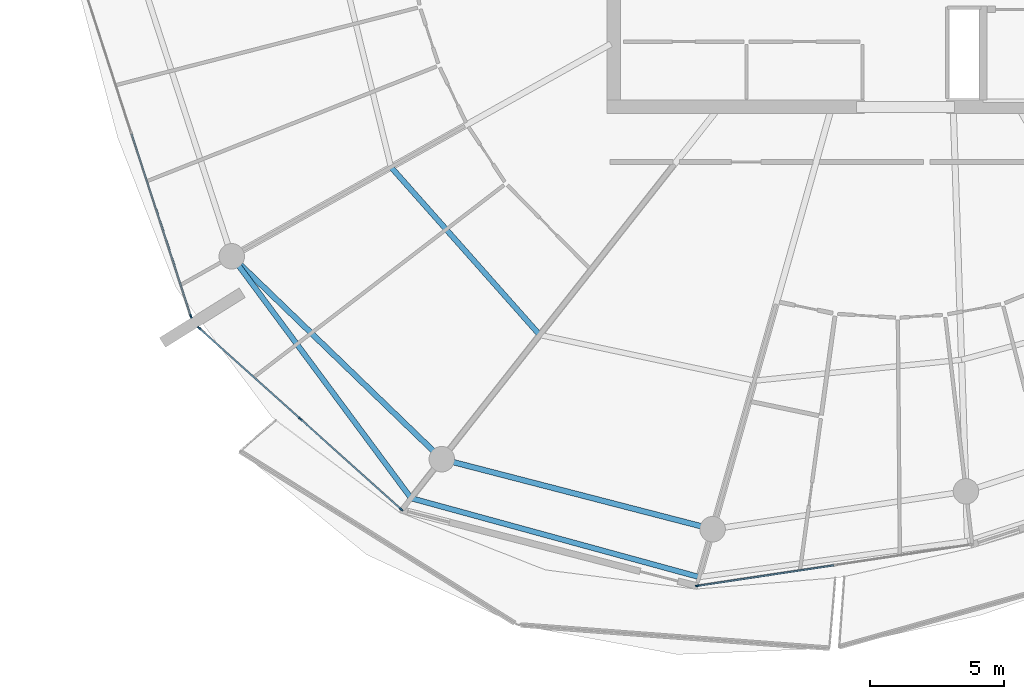
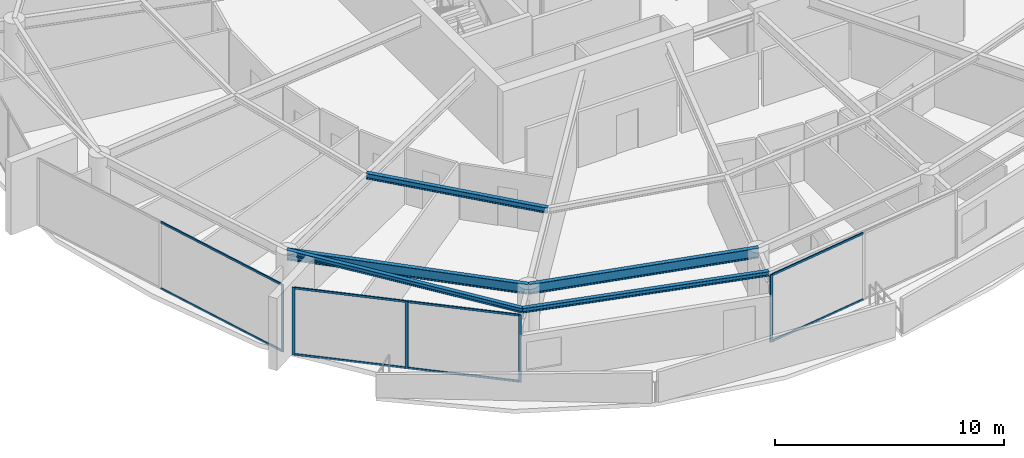
# One storey, part 6 of 30: 13 members, 5 beams, 3 elements without a shape of their own.
"""IFC4 building model written with IfcOpenShell, lengths in metres."""

import ifcopenshell
import ifcopenshell.guid

model = None  # the IFC model being written
_history = None  # IfcOwnerHistory: only IFC2X3 demands one
_inside = {}  # id of a spatial element -> (the spatial element, [elements in it])
_under = {}  # id of a project, library or spatial element -> (it, [spatial elements below it])
_declared = {}  # id of a project -> (the project, [libraries it declares])
_typed = {}  # id of a type object -> (the type object, [elements of that type])
_made_of = {}  # id of a material, layer set ... -> (it, [elements and type objects made of it])


def new_model(schema):
    """Start an empty IFC model of exactly this schema.

    Asked for "IFC4X3", IfcOpenShell would pick the latest addendum, in which some entities
    have other attributes; the version numbers below select the first issue.
    IFC2X3 requires an IfcOwnerHistory on every rooted entity: one is made here for all.
    """
    global model, _history
    if schema == "IFC4X3":
        model = ifcopenshell.file(schema_version=(4, 3, 0, 0))
    else:
        model = ifcopenshell.file(schema=schema)
    _inside.clear()
    _under.clear()
    _declared.clear()
    _typed.clear()
    _made_of.clear()
    _history = None
    if model.schema == "IFC2X3":
        org = make("IfcOrganization", Name="unknown")
        user = make(
            "IfcPersonAndOrganization",
            ThePerson=make("IfcPerson", FamilyName="unknown"),
            TheOrganization=org,
        )
        app = make(
            "IfcApplication",
            ApplicationDeveloper=org,
            Version="unknown",
            ApplicationFullName="unknown",
            ApplicationIdentifier="unknown",
        )
        _history = make(
            "IfcOwnerHistory",
            OwningUser=user,
            OwningApplication=app,
            ChangeAction="ADDED",
            CreationDate=0,
        )
    return model


def make(cls, **values):
    """One entity of the class cls with the attributes given. An attribute that is None is left unset."""
    return model.create_entity(
        cls, **{name: value for name, value in values.items() if value is not None}
    )


def rooted(cls, **values):
    """An entity with a GlobalId (a new one), such as an element, a storey or a relation."""
    return make(cls, GlobalId=ifcopenshell.guid.new(), OwnerHistory=_history, **values)


def si_unit(unit_type, name, prefix=None):
    """IfcSIUnit, for example si_unit("LENGTHUNIT", "METRE", prefix="MILLI")."""
    return make("IfcSIUnit", UnitType=unit_type, Prefix=prefix, Name=name)


def assignment(units):
    """IfcUnitAssignment: the units of a project."""
    return None if units is None else make("IfcUnitAssignment", Units=units)


def point(xyz):
    """IfcCartesianPoint."""
    return None if xyz is None else make("IfcCartesianPoint", Coordinates=xyz)


def direction(xyz):
    """IfcDirection."""
    return None if xyz is None else make("IfcDirection", DirectionRatios=xyz)


def frame(location, z_axis=None, x_axis=None):
    """IfcAxis2Placement3D, a coordinate frame: its origin and axes. An axis left out is left unset."""
    return make(
        "IfcAxis2Placement3D",
        Location=point(location),
        Axis=direction(z_axis),
        RefDirection=direction(x_axis),
    )


def frame_2d(location, x_axis=None):
    """IfcAxis2Placement2D, a coordinate frame in the plane: its origin and x axis."""
    return make(
        "IfcAxis2Placement2D", Location=point(location), RefDirection=direction(x_axis)
    )


def origin():
    """The frame at (0, 0, 0) with its axes left unset."""
    return frame((0.0, 0.0, 0.0))


def origin_2d():
    """The frame at (0, 0) in the plane with its x axis left unset."""
    return frame_2d((0.0, 0.0))


def place(relative_to, where):
    """IfcLocalPlacement: puts the frame where relative to a parent placement (None: the world)."""
    return make(
        "IfcLocalPlacement", PlacementRelTo=relative_to, RelativePlacement=where
    )


def context(
    kind, dimensions, precision=None, world=None, true_north=None, identifier=None
):
    """IfcGeometricRepresentationContext, for example the 3D "Model" context."""
    return make(
        "IfcGeometricRepresentationContext",
        ContextIdentifier=identifier,
        ContextType=kind,
        CoordinateSpaceDimension=dimensions,
        Precision=precision,
        WorldCoordinateSystem=world,
        TrueNorth=true_north,
    )


def subcontext(parent, identifier, kind, view, scale=None):
    """IfcGeometricRepresentationSubContext, for example "Body" below "Model"."""
    return make(
        "IfcGeometricRepresentationSubContext",
        ContextIdentifier=identifier,
        ContextType=kind,
        ParentContext=parent,
        TargetScale=scale,
        TargetView=view,
    )


def project(units=None, contexts=None):
    """IfcProject with its units and contexts."""
    return rooted(
        "IfcProject",
        Name="project",
        RepresentationContexts=contexts,
        UnitsInContext=assignment(units),
    )


def spatial(cls, under=None, at=None, **own):
    """A site, building, storey or space (cls), placed at a placement, below another one or the project."""
    s = rooted(cls, ObjectPlacement=at, **own)
    if under is not None:
        _under.setdefault(under.id(), (under, []))[1].append(s)
    return s


def profile(cls, at=None, kind="AREA", **sizes):
    """A parametric profile (cls). Its sizes go by their IFC names, for example OverallWidth=200.0."""
    return make(cls, ProfileType=kind, Position=at, **sizes)


def rectangle(**sizes):
    """IfcRectangleProfileDef."""
    return profile("IfcRectangleProfileDef", **sizes)


def i_section(**sizes):
    """IfcIShapeProfileDef."""
    return profile("IfcIShapeProfileDef", **sizes)


def extrude(swept, where, along, depth):
    """IfcExtrudedAreaSolid: the profile swept, set in the frame where, extruded along a direction by depth."""
    return make(
        "IfcExtrudedAreaSolid",
        SweptArea=swept,
        Position=where,
        ExtrudedDirection=direction(along),
        Depth=depth,
    )


def shape(context_of_items, identifier, shape_type, items):
    """IfcShapeRepresentation: the items that make up one representation, for example the "Body"."""
    return make(
        "IfcShapeRepresentation",
        ContextOfItems=context_of_items,
        RepresentationIdentifier=identifier,
        RepresentationType=shape_type,
        Items=items,
    )


def material(Name=None, Category=None):
    """IfcMaterial."""
    return make("IfcMaterial", Name=Name, Category=Category)


def layer(
    of_material, thickness, ventilated=None, Name=None, Category=None, Priority=None
):
    """IfcMaterialLayer: one layer of a wall or slab, of a material (None: an air gap)."""
    return make(
        "IfcMaterialLayer",
        Material=of_material,
        LayerThickness=thickness,
        IsVentilated=ventilated,
        Name=Name,
        Category=Category,
        Priority=Priority,
    )


def layer_set(layers, Name=None):
    """IfcMaterialLayerSet."""
    return make("IfcMaterialLayerSet", MaterialLayers=layers, LayerSetName=Name)


def material_profile(
    of_material, cross_section, Name=None, Category=None, Priority=None
):
    """IfcMaterialProfile: a cross section and its material."""
    return make(
        "IfcMaterialProfile",
        Name=Name,
        Material=of_material,
        Profile=cross_section,
        Priority=Priority,
        Category=Category,
    )


def profile_set(profiles, Name=None, composite=None):
    """IfcMaterialProfileSet."""
    return make(
        "IfcMaterialProfileSet",
        Name=Name,
        MaterialProfiles=profiles,
        CompositeProfile=composite,
    )


def made_of(thing, what):
    """Note that an element or type object is made of a material, layer set ...; save() writes the relation."""
    if what is not None:
        _made_of.setdefault(what.id(), (what, []))[1].append(thing)
    return thing


def type_object(cls, material=None, **own):
    """A type object (cls), such as IfcWallType, which elements share."""
    return made_of(rooted(cls, **own), material)


def element(
    cls,
    number,
    at=None,
    inside=None,
    cuts=None,
    type_object=None,
    material=None,
    context=None,
    identifier="Body",
    shape_type=None,
    held_by="IfcProductDefinitionShape",
    body=None,
    shapes=None,
    **own,
):
    """One element of the class cls, such as IfcWall. Its Tag is "e" and its number.

    at: its placement. inside: the storey or other place that contains it. cuts: it is an
    opening in that element (IfcRelVoidsElement). A single representation is given by context,
    identifier, shape_type and body (its items); several are given by shapes. held_by: the class
    of the entity that holds the representations. save() writes the other relations.
    """
    e = rooted(cls, Tag="e%d" % number, ObjectPlacement=at, **own)
    if body is not None:
        shapes = [shape(context, identifier, shape_type, body)]
    if shapes is not None:
        e.Representation = make(held_by, Representations=shapes)
    if inside is not None:
        _inside.setdefault(inside.id(), (inside, []))[1].append(e)
    if cuts is not None:
        rooted(
            "IfcRelVoidsElement", RelatingBuildingElement=cuts, RelatedOpeningElement=e
        )
    if type_object is not None:
        _typed.setdefault(type_object.id(), (type_object, []))[1].append(e)
    return made_of(e, material)


def aggregate(whole, parts):
    """IfcRelAggregates: a whole, such as a stair, and the parts it consists of."""
    return rooted("IfcRelAggregates", RelatingObject=whole, RelatedObjects=parts)


def save(model, path):
    """Write the relations noted so far, then the file.

    IfcRelAggregates (storeys below a building ...), IfcRelContainedInSpatialStructure (elements
    in a storey), IfcRelDefinesByType, IfcRelAssociatesMaterial and IfcRelDeclares: one each for
    every whole, place, type object, material and project.
    """
    for whole, parts in _under.values():
        aggregate(whole, parts)
    for where, things in _inside.values():
        rooted(
            "IfcRelContainedInSpatialStructure",
            RelatedElements=things,
            RelatingStructure=where,
        )
    for kind, things in _typed.values():
        rooted("IfcRelDefinesByType", RelatedObjects=things, RelatingType=kind)
    for what, things in _made_of.values():
        rooted("IfcRelAssociatesMaterial", RelatedObjects=things, RelatingMaterial=what)
    for by, libraries in _declared.values():
        rooted("IfcRelDeclares", RelatingContext=by, RelatedDefinitions=libraries)
    model.write(path)


model = new_model("IFC4")

# Units and contexts
model_context = context("Model", 3, precision=1e-05, world=origin(), true_north=direction((0.0, 1.0)))
body_context = subcontext(model_context, "Body", "Model", "MODEL_VIEW")
ifc_project = project(units=[si_unit("LENGTHUNIT", "METRE"), si_unit("AREAUNIT", "SQUARE_METRE"), si_unit("VOLUMEUNIT", "CUBIC_METRE"), si_unit("PLANEANGLEUNIT", "RADIAN"), si_unit("MASSUNIT", "GRAM", prefix="KILO")], contexts=[model_context])

# Site, building, storey
site_placement = place(None, origin())
site = spatial("IfcSite", under=ifc_project, at=site_placement, CompositionType="ELEMENT")
building_placement = place(site_placement, origin())
building = spatial("IfcBuilding", under=site, at=building_placement, Name="Kazma Halo Residences", CompositionType="ELEMENT")
storey_placement = place(building_placement, frame((0.0, 0.0, 298.300048828125)))
storey = spatial("IfcBuildingStorey", under=building, at=storey_placement, Name="L75", CompositionType="ELEMENT", Elevation=298.300048828125)

# Beams
ifc_material_1 = material(Name="Steel S355", Category="steel")
ifc_material_profile_1 = material_profile(ifc_material_1, i_section(OverallWidth=0.201904296875, OverallDepth=0.2470703125, WebThickness=0.00732421875, FlangeThickness=0.010986328125, FilletRadius=0.011962890625, at=origin_2d()), Name="W250x49.1")
ifc_profile_set_1 = profile_set([ifc_material_profile_1], Name="Steel S355")
beam_type_1 = type_object("IfcBeamType", Name="BM-BAL-CANT", PredefinedType="BEAM", material=ifc_profile_set_1)
beam_1_placement = place(storey_placement, frame((23.32958984375, 28.18408203125, 3.466552734375), z_axis=(0.595556062515, -0.803313747176, 0.0), x_axis=(0.803313747176, 0.595556062515, 0.0)))
element("IfcBeam", 1, at=beam_1_placement, inside=storey, type_object=beam_type_1, Name="L75 wave-balcony lead tie beam 09", PredefinedType="BEAM", context=body_context, shape_type="SweptSolid", body=[
    extrude(i_section(OverallWidth=0.201904296875, OverallDepth=0.2470703125, WebThickness=0.00732421875, FlangeThickness=0.010986328125, FilletRadius=0.011962890625, at=origin_2d()), origin(), (0.0, 0.0, 1.0), 11.213134765625),
])
beam_2_placement = place(storey_placement, frame((30.007568359375, 19.176513671875, 3.466552734375), z_axis=(0.964514665976, -0.264029277006, 0.0), x_axis=(0.264029277006, 0.964514665976, 0.0)))
element("IfcBeam", 2, at=beam_2_placement, inside=storey, type_object=beam_type_1, Name="L75 wave-balcony tie beam 10", PredefinedType="BEAM", context=body_context, shape_type="SweptSolid", body=[
    extrude(i_section(OverallWidth=0.201904296875, OverallDepth=0.2470703125, WebThickness=0.00732421875, FlangeThickness=0.010986328125, FilletRadius=0.011962890625, at=origin_2d()), origin(), (0.0, 0.0, 1.0), 11.1220703125),
])
ifc_material_profile_2 = material_profile(ifc_material_1, i_section(OverallWidth=0.202880859375, OverallDepth=0.302978515625, WebThickness=0.007568359375, FlangeThickness=0.01318359375, FilletRadius=0.013916015625, at=origin_2d()), Name="W310x60")
ifc_profile_set_2 = profile_set([ifc_material_profile_2], Name="Steel S355")
beam_type_2 = type_object("IfcBeamType", Name="BM-SEC-W310A", PredefinedType="JOIST", material=ifc_profile_set_2)
beam_3_placement = place(storey_placement, frame((29.26025390625, 31.505126953125, 3.4384765625), z_axis=(0.663307142238, -0.748347269024, 0.0), x_axis=(0.748347269024, 0.663307142238, 0.0)))
element("IfcBeam", 3, at=beam_3_placement, inside=storey, type_object=beam_type_2, Name="L75 circumferential floor joist 09", PredefinedType="JOIST", context=body_context, shape_type="SweptSolid", body=[
    extrude(i_section(OverallWidth=0.202880859375, OverallDepth=0.302978515625, WebThickness=0.007568359375, FlangeThickness=0.01318359375, FilletRadius=0.013916015625, at=origin_2d()), origin(), (0.0, 0.0, 1.0), 8.351318359375),
])
ifc_material_profile_3 = material_profile(ifc_material_1, i_section(OverallWidth=0.208984375, OverallDepth=0.532958984375, WebThickness=0.01025390625, FlangeThickness=0.015625, FilletRadius=0.01611328125, at=origin_2d()), Name="W530x92")
ifc_profile_set_3 = profile_set([ifc_material_profile_3], Name="Steel S355")
beam_type_3 = type_object("IfcBeamType", Name="BM-SPN-W530", PredefinedType="BEAM", material=ifc_profile_set_3)
beam_4_placement = place(storey_placement, frame((23.32958984375, 28.18408203125, 3.323486328125), z_axis=(0.719345757929, -0.694652201141, 0.0), x_axis=(0.694652201141, 0.719345757929, 0.0)))
element("IfcBeam", 4, at=beam_4_placement, inside=storey, type_object=beam_type_3, Name="L75 perimeter ring beam 09", PredefinedType="BEAM", context=body_context, shape_type="SweptSolid", body=[
    extrude(i_section(OverallWidth=0.208984375, OverallDepth=0.532958984375, WebThickness=0.01025390625, FlangeThickness=0.015625, FilletRadius=0.01611328125, at=origin_2d()), origin(), (0.0, 0.0, 1.0), 10.87548828125),
])
beam_5_placement = place(storey_placement, frame((31.15283203125, 20.62939453125, 3.323486328125), z_axis=(0.968126042852, -0.250463500639, 0.0), x_axis=(0.250463500639, 0.968126042852, 0.0)))
element("IfcBeam", 5, at=beam_5_placement, inside=storey, type_object=beam_type_3, Name="L75 perimeter ring beam 10", PredefinedType="BEAM", context=body_context, shape_type="SweptSolid", body=[
    extrude(i_section(OverallWidth=0.208984375, OverallDepth=0.532958984375, WebThickness=0.01025390625, FlangeThickness=0.015625, FilletRadius=0.01611328125, at=origin_2d()), origin(), (0.0, 0.0, 1.0), 10.416259765625),
])

# Curtain wall, member
ifc_material_2 = material(Name="Aluminium AW-6063 T6 and Triple-Silver Low-E Glass", Category="aluminium")
ifc_layer = layer(ifc_material_2, 0.139892578125)
ifc_layer_set = layer_set([ifc_layer], Name="Aluminium AW-6063 T6 and Triple-Silver Low-E Glass")
curtain_wall_type = type_object("IfcCurtainWallType", Name="CW-SYS-5", PredefinedType="NOTDEFINED", material=ifc_layer_set)
curtain_wall_1_placement = place(storey_placement, origin())
curtain_wall_1 = element("IfcCurtainWall", 6, at=curtain_wall_1_placement, inside=storey, type_object=curtain_wall_type, Name="L75 unitised curtain wall B08", PredefinedType="NOTDEFINED")
ifc_material_3 = material(Name="Aluminium AW-6063 T6", Category="aluminium")
ifc_material_profile_4 = material_profile(ifc_material_3, rectangle(XDim=0.06005859375, YDim=0.139892578125, at=origin_2d()), Name="CWM-60x140")
ifc_profile_set_4 = profile_set([ifc_material_profile_4], Name="Aluminium AW-6063 T6")
member_type_1 = type_object("IfcMemberType", Name="CW-SYS-5-MUL", PredefinedType="MULLION", material=ifc_profile_set_4)
member_1_placement = place(storey_placement, frame((21.8076171875, 25.9521484375, 0.0), z_axis=(0.0, 0.0, 1.0), x_axis=(0.951058464359, 0.309010998786, 0.0)))
member_1 = element("IfcMember", 7, at=member_1_placement, type_object=member_type_1, Name="CWS-5 mullion 3", PredefinedType="MULLION", context=body_context, shape_type="SweptSolid", body=[
    extrude(rectangle(XDim=0.06005859375, YDim=0.139892578125, at=origin_2d()), origin(), (0.0, 0.0, 1.0), 3.58984375),
])

# Curtain wall, members
curtain_wall_2_placement = place(storey_placement, origin())
curtain_wall_2 = element("IfcCurtainWall", 8, at=curtain_wall_2_placement, inside=storey, type_object=curtain_wall_type, Name="L75 unitised curtain wall B09", PredefinedType="NOTDEFINED")
member_2_placement = place(storey_placement, frame((22.11669921875, 25.508056640625, 0.0), z_axis=(0.0, 0.0, 1.0), x_axis=(0.667804826958, 0.744336424671, 0.0)))
member_2 = element("IfcMember", 9, at=member_2_placement, type_object=member_type_1, Name="CWS-5 mullion 1", PredefinedType="MULLION", context=body_context, shape_type="SweptSolid", body=[
    extrude(rectangle(XDim=0.06005859375, YDim=0.139892578125, at=origin_2d()), origin(), (0.0, 0.0, 1.0), 3.58984375),
])
member_3_placement = place(storey_placement, frame((25.878173828125, 22.13330078125, 0.0), z_axis=(0.0, 0.0, 1.0), x_axis=(0.667804826958, 0.744336424671, 0.0)))
member_3 = element("IfcMember", 10, at=member_3_placement, type_object=member_type_1, Name="CWS-5 mullion 2", PredefinedType="MULLION", context=body_context, shape_type="SweptSolid", body=[
    extrude(rectangle(XDim=0.06005859375, YDim=0.139892578125, at=origin_2d()), origin(), (0.0, 0.0, 1.0), 3.58984375),
])
member_4_placement = place(storey_placement, frame((29.6396484375, 18.758544921875, 0.0), z_axis=(0.0, 0.0, 1.0), x_axis=(0.667804826958, 0.744336424671, 0.0)))
member_4 = element("IfcMember", 11, at=member_4_placement, type_object=member_type_1, Name="CWS-5 mullion 3", PredefinedType="MULLION", context=body_context, shape_type="SweptSolid", body=[
    extrude(rectangle(XDim=0.06005859375, YDim=0.139892578125, at=origin_2d()), origin(), (0.0, 0.0, 1.0), 3.58984375),
])

# Curtain wall, member
curtain_wall_3_placement = place(storey_placement, origin())
curtain_wall_3 = element("IfcCurtainWall", 12, at=curtain_wall_3_placement, inside=storey, type_object=curtain_wall_type, Name="L75 unitised curtain wall B11", PredefinedType="NOTDEFINED")
member_5_placement = place(storey_placement, frame((40.671142578125, 15.912841796875, 0.0), z_axis=(0.0, 0.0, 1.0), x_axis=(-0.148697080374, 0.988882792998, 0.0)))
member_5 = element("IfcMember", 13, at=member_5_placement, type_object=member_type_1, Name="CWS-5 mullion 1", PredefinedType="MULLION", context=body_context, shape_type="SweptSolid", body=[
    extrude(rectangle(XDim=0.06005859375, YDim=0.139892578125, at=origin_2d()), origin(), (0.0, 0.0, 1.0), 3.58984375),
])

# Member
ifc_material_profile_5 = material_profile(ifc_material_3, rectangle(XDim=0.06005859375, YDim=0.10498046875, at=origin_2d()), Name="CWT-60x105")
ifc_profile_set_5 = profile_set([ifc_material_profile_5], Name="Aluminium AW-6063 T6")
member_type_2 = type_object("IfcMemberType", Name="CW-SYS-5-TRN", PredefinedType="USERDEFINED", material=ifc_profile_set_5)
member_6_placement = place(storey_placement, frame((19.6015625, 32.7412109375, 0.030029296875), z_axis=(0.309027052142, -0.95105324827, 0.0), x_axis=(0.95105324827, 0.309027052142, 0.0)))
member_6 = element("IfcMember", 14, at=member_6_placement, type_object=member_type_2, Name="CWS-5 transom 2.1", ObjectType="TRANSOM", PredefinedType="USERDEFINED", context=body_context, shape_type="SweptSolid", body=[
    extrude(rectangle(XDim=0.06005859375, YDim=0.10498046875, at=origin_2d()), origin(), (0.0, 0.0, 1.0), 7.108642578125),
])

member_7_placement = place(storey_placement, frame((19.6015625, 32.7412109375, 3.56005859375), z_axis=(0.309027052142, -0.95105324827, 0.0), x_axis=(0.95105324827, 0.309027052142, 0.0)))
member_7 = element("IfcMember", 15, at=member_7_placement, type_object=member_type_2, Name="CWS-5 transom 2.2", ObjectType="TRANSOM", PredefinedType="USERDEFINED", context=body_context, shape_type="SweptSolid", body=[
    extrude(rectangle(XDim=0.06005859375, YDim=0.10498046875, at=origin_2d()), origin(), (0.0, 0.0, 1.0), 7.108642578125),
])

aggregate(curtain_wall_1, [member_1, member_6, member_7])

member_8_placement = place(storey_placement, frame((22.138916015625, 25.488037109375, 0.030029296875), z_axis=(0.744328897483, -0.667813216679, 0.0), x_axis=(0.667813216679, 0.744328897483, 0.0)))
member_8 = element("IfcMember", 16, at=member_8_placement, type_object=member_type_2, Name="CWS-5 transom 1.1", ObjectType="TRANSOM", PredefinedType="USERDEFINED", context=body_context, shape_type="SweptSolid", body=[
    extrude(rectangle(XDim=0.06005859375, YDim=0.10498046875, at=origin_2d()), origin(), (0.0, 0.0, 1.0), 4.993408203125),
])

member_9_placement = place(storey_placement, frame((22.138916015625, 25.488037109375, 3.56005859375), z_axis=(0.744328897483, -0.667813216679, 0.0), x_axis=(0.667813216679, 0.744328897483, 0.0)))
member_9 = element("IfcMember", 17, at=member_9_placement, type_object=member_type_2, Name="CWS-5 transom 1.2", ObjectType="TRANSOM", PredefinedType="USERDEFINED", context=body_context, shape_type="SweptSolid", body=[
    extrude(rectangle(XDim=0.06005859375, YDim=0.10498046875, at=origin_2d()), origin(), (0.0, 0.0, 1.0), 4.993408203125),
])

member_10_placement = place(storey_placement, frame((25.900390625, 22.11328125, 0.030029296875), z_axis=(0.744350700793, -0.667788914425, 0.0), x_axis=(0.667788914425, 0.744350700793, 0.0)))
member_10 = element("IfcMember", 18, at=member_10_placement, type_object=member_type_2, Name="CWS-5 transom 2.1", ObjectType="TRANSOM", PredefinedType="USERDEFINED", context=body_context, shape_type="SweptSolid", body=[
    extrude(rectangle(XDim=0.06005859375, YDim=0.10498046875, at=origin_2d()), origin(), (0.0, 0.0, 1.0), 4.99365234375),
])

member_11_placement = place(storey_placement, frame((25.900390625, 22.11328125, 3.56005859375), z_axis=(0.744350700793, -0.667788914425, 0.0), x_axis=(0.667788914425, 0.744350700793, 0.0)))
member_11 = element("IfcMember", 19, at=member_11_placement, type_object=member_type_2, Name="CWS-5 transom 2.2", ObjectType="TRANSOM", PredefinedType="USERDEFINED", context=body_context, shape_type="SweptSolid", body=[
    extrude(rectangle(XDim=0.06005859375, YDim=0.10498046875, at=origin_2d()), origin(), (0.0, 0.0, 1.0), 4.99365234375),
])

aggregate(curtain_wall_2, [member_2, member_3, member_4, member_8, member_9, member_10, member_11])

member_12_placement = place(storey_placement, frame((40.70068359375, 15.917236328125, 0.030029296875), z_axis=(0.988883972013, 0.148689239341, 0.0), x_axis=(-0.148689239341, 0.988883972013, 0.0)))
member_12 = element("IfcMember", 20, at=member_12_placement, type_object=member_type_2, Name="CWS-5 transom 1.1", ObjectType="TRANSOM", PredefinedType="USERDEFINED", context=body_context, shape_type="SweptSolid", body=[
    extrude(rectangle(XDim=0.06005859375, YDim=0.10498046875, at=origin_2d()), origin(), (0.0, 0.0, 1.0), 5.099853515625),
])

member_13_placement = place(storey_placement, frame((40.70068359375, 15.917236328125, 3.56005859375), z_axis=(0.988883972013, 0.148689239341, 0.0), x_axis=(-0.148689239341, 0.988883972013, 0.0)))
member_13 = element("IfcMember", 21, at=member_13_placement, type_object=member_type_2, Name="CWS-5 transom 1.2", ObjectType="TRANSOM", PredefinedType="USERDEFINED", context=body_context, shape_type="SweptSolid", body=[
    extrude(rectangle(XDim=0.06005859375, YDim=0.10498046875, at=origin_2d()), origin(), (0.0, 0.0, 1.0), 5.099853515625),
])

aggregate(curtain_wall_3, [member_5, member_12, member_13])

save(model, "model.ifc")
